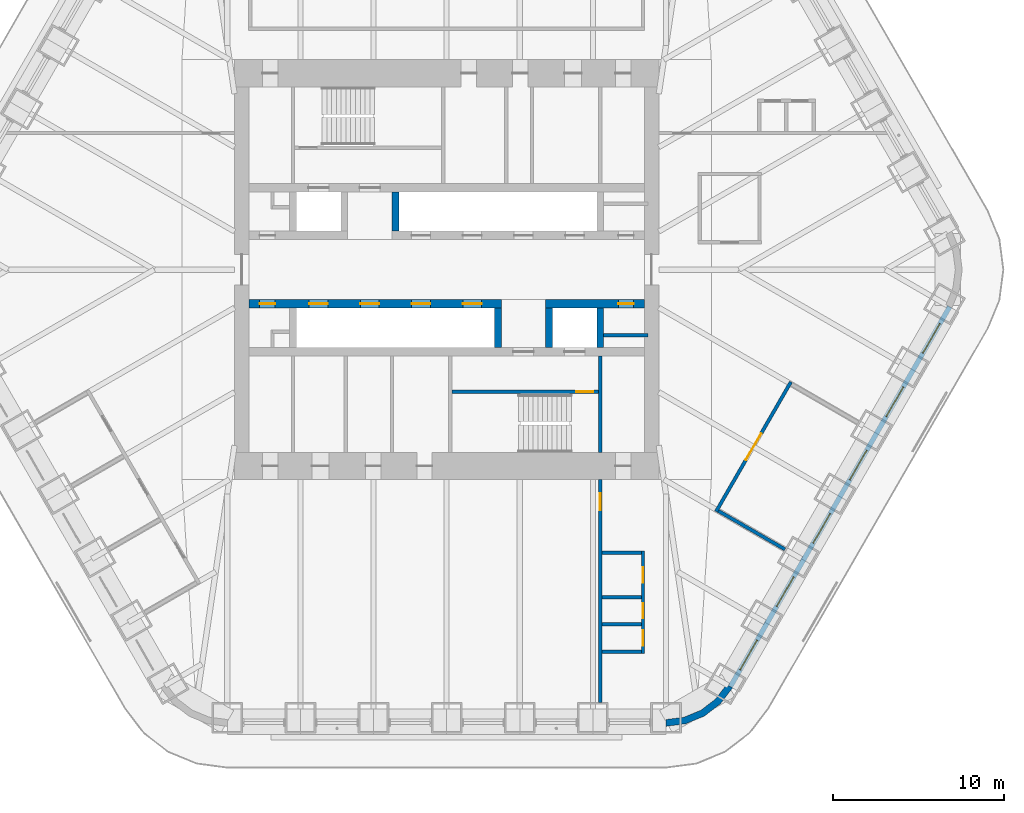
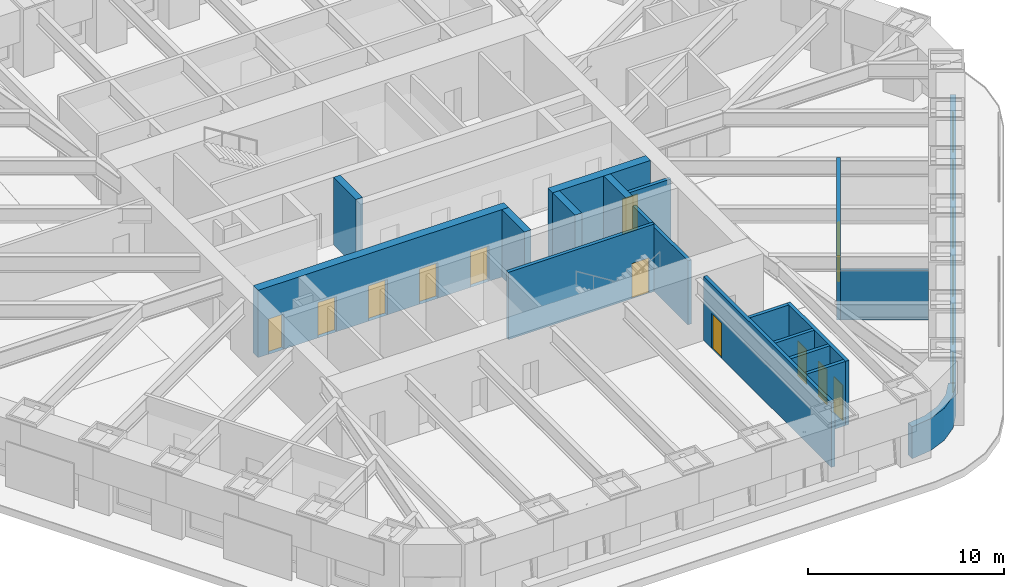
# One storey, part 14 of 18: 19 walls, 12 doors, 6 windows, 18 openings.
"""IFC4 building model written with IfcOpenShell, lengths in metres."""

from ifc_helpers import new_model, si_unit, direction, frame, frame_2d, origin, place, context, subcontext, project, spatial, polyline, rectangle, outline, extrude, material, layer, layer_set, type_object, element, fill, save


model = new_model("IFC4")

# Units and contexts
model_context = context("Model", 3, precision=1e-05, world=origin(), true_north=direction((0.0, 1.0)))
body_context = subcontext(model_context, "Body", "Model", "MODEL_VIEW")
ifc_project = project(units=[si_unit("LENGTHUNIT", "METRE"), si_unit("AREAUNIT", "SQUARE_METRE"), si_unit("VOLUMEUNIT", "CUBIC_METRE"), si_unit("PLANEANGLEUNIT", "RADIAN"), si_unit("MASSUNIT", "GRAM", prefix="KILO")], contexts=[model_context])

# Site, building, storey
site_placement = place(None, origin())
site = spatial("IfcSite", under=ifc_project, at=site_placement, CompositionType="ELEMENT")
building_placement = place(site_placement, origin())
building = spatial("IfcBuilding", under=site, at=building_placement, Name="Tarfa Lantern Tower", CompositionType="ELEMENT")
storey_placement = place(building_placement, frame((0.0, 0.0, 311.5)))
storey = spatial("IfcBuildingStorey", under=building, at=storey_placement, Name="L70", CompositionType="ELEMENT", Elevation=311.5)

# Wall, openings, windows
ifc_material_1 = material(Name="Limestone cladding on blockwork", Category="masonry")
ifc_layer_1 = layer(ifc_material_1, 0.300048828125)
ifc_layer_set_1 = layer_set([ifc_layer_1], Name="EW1 STONE-CLAD WALL 300")
wall_type_1 = type_object("IfcWallType", Name="EW1 STONE-CLAD WALL 300", PredefinedType="SOLIDWALL", material=ifc_layer_set_1)
wall_1_placement = place(storey_placement, frame((16.61328125, -24.425048828125, 0.0), z_axis=(0.0, 0.0, 1.0), x_axis=(0.499997191038, 0.866027025533, 0.0)))
wall_1 = element("IfcWall", 1, at=wall_1_placement, inside=storey, type_object=wall_type_1, Name="Stone wall SE", PredefinedType="SOLIDWALL", context=body_context, shape_type="SweptSolid", body=[
    extrude(rectangle(XDim=25.692138671875, YDim=0.300048828125, at=frame_2d((12.84619140625, 0.0))), origin(), (0.0, 0.0, 1.0), 2.0),
])
opening_1_placement = place(wall_1_placement, frame((1.14111328125, 0.0, 0.60009765625)))
opening_1 = element("IfcOpeningElement", 2, at=opening_1_placement, cuts=wall_1, Name="Opening W12", PredefinedType="OPENING", context=body_context, shape_type="SweptSolid", body=[
    extrude(rectangle(XDim=2.0, YDim=1.14990234375, at=frame_2d((1.0, 0.574951171875))), frame((0.0, 0.159912109375, 0.0), z_axis=(0.0, -1.0, 0.0), x_axis=(1.0, 0.0, 0.0)), (0.0, 0.0, 1.0), 0.320068359375),
])
opening_2_placement = place(wall_1_placement, frame((5.423095703125, 0.0, 0.60009765625)))
opening_2 = element("IfcOpeningElement", 3, at=opening_2_placement, cuts=wall_1, Name="Opening W12", PredefinedType="OPENING", context=body_context, shape_type="SweptSolid", body=[
    extrude(rectangle(XDim=2.0, YDim=1.14990234375, at=frame_2d((1.0, 0.574951171875))), frame((0.0, 0.159912109375, 0.0), z_axis=(0.0, -1.0, 0.0), x_axis=(1.0, 0.0, 0.0)), (0.0, 0.0, 1.0), 0.320068359375),
])
opening_3_placement = place(wall_1_placement, frame((9.705078125, 0.0, 0.60009765625)))
opening_3 = element("IfcOpeningElement", 4, at=opening_3_placement, cuts=wall_1, Name="Opening W12", PredefinedType="OPENING", context=body_context, shape_type="SweptSolid", body=[
    extrude(rectangle(XDim=2.0, YDim=1.14990234375, at=frame_2d((1.0, 0.574951171875))), frame((0.0, 0.159912109375, 0.0), z_axis=(0.0, -1.0, 0.0), x_axis=(1.0, 0.0, 0.0)), (0.0, 0.0, 1.0), 0.320068359375),
])
opening_4_placement = place(wall_1_placement, frame((13.987060546875, 0.0, 0.60009765625)))
opening_4 = element("IfcOpeningElement", 5, at=opening_4_placement, cuts=wall_1, Name="Opening W12", PredefinedType="OPENING", context=body_context, shape_type="SweptSolid", body=[
    extrude(rectangle(XDim=2.0, YDim=1.14990234375, at=frame_2d((1.0, 0.574951171875))), frame((0.0, 0.159912109375, 0.0), z_axis=(0.0, -1.0, 0.0), x_axis=(1.0, 0.0, 0.0)), (0.0, 0.0, 1.0), 0.320068359375),
])
opening_5_placement = place(wall_1_placement, frame((18.26904296875, 0.0, 0.60009765625)))
opening_5 = element("IfcOpeningElement", 6, at=opening_5_placement, cuts=wall_1, Name="Opening W12", PredefinedType="OPENING", context=body_context, shape_type="SweptSolid", body=[
    extrude(rectangle(XDim=2.0, YDim=1.14990234375, at=frame_2d((1.0, 0.574951171875))), frame((0.0, 0.159912109375, 0.0), z_axis=(0.0, -1.0, 0.0), x_axis=(1.0, 0.0, 0.0)), (0.0, 0.0, 1.0), 0.320068359375),
])
opening_6_placement = place(wall_1_placement, frame((22.551025390625, 0.0, 0.60009765625)))
opening_6 = element("IfcOpeningElement", 7, at=opening_6_placement, cuts=wall_1, Name="Opening W12", PredefinedType="OPENING", context=body_context, shape_type="SweptSolid", body=[
    extrude(rectangle(XDim=2.0, YDim=1.14990234375, at=frame_2d((1.0, 0.574951171875))), frame((0.0, 0.159912109375, 0.0), z_axis=(0.0, -1.0, 0.0), x_axis=(1.0, 0.0, 0.0)), (0.0, 0.0, 1.0), 0.320068359375),
])
ifc_material_2 = material(Name="Aluminium frame, double glazed", Category="aluminium")
window_type = type_object("IfcWindowType", Name="W12 FULL-HEIGHT GLAZING 2000x1150", PartitioningType="SINGLE_PANEL", PredefinedType="WINDOW", material=ifc_material_2)
window_1_placement = place(opening_1_placement, origin())
window_1 = element("IfcWindow", 8, at=window_1_placement, inside=storey, type_object=window_type, Name="Window SE 1", OverallHeight=1.14990234375, OverallWidth=2.0, PartitioningType="SINGLE_PANEL", PredefinedType="WINDOW", context=body_context, shape_type="SweptSolid", body=[
    extrude(rectangle(XDim=2.0, YDim=1.14990234375, at=frame_2d((1.0, 0.574951171875))), frame((0.0, 0.030029296875, 0.0), z_axis=(0.0, -1.0, 0.0), x_axis=(1.0, 0.0, 0.0)), (0.0, 0.0, 1.0), 0.06005859375),
])
fill(opening_1, window_1)
window_2_placement = place(opening_2_placement, origin())
window_2 = element("IfcWindow", 9, at=window_2_placement, inside=storey, type_object=window_type, Name="Window SE 2", OverallHeight=1.14990234375, OverallWidth=2.0, PartitioningType="SINGLE_PANEL", PredefinedType="WINDOW", context=body_context, shape_type="SweptSolid", body=[
    extrude(rectangle(XDim=2.0, YDim=1.14990234375, at=frame_2d((1.0, 0.574951171875))), frame((0.0, 0.030029296875, 0.0), z_axis=(0.0, -1.0, 0.0), x_axis=(1.0, 0.0, 0.0)), (0.0, 0.0, 1.0), 0.06005859375),
])
fill(opening_2, window_2)
window_3_placement = place(opening_3_placement, origin())
window_3 = element("IfcWindow", 10, at=window_3_placement, inside=storey, type_object=window_type, Name="Window SE 3", OverallHeight=1.14990234375, OverallWidth=2.0, PartitioningType="SINGLE_PANEL", PredefinedType="WINDOW", context=body_context, shape_type="SweptSolid", body=[
    extrude(rectangle(XDim=2.0, YDim=1.14990234375, at=frame_2d((1.0, 0.574951171875))), frame((0.0, 0.030029296875, 0.0), z_axis=(0.0, -1.0, 0.0), x_axis=(1.0, 0.0, 0.0)), (0.0, 0.0, 1.0), 0.06005859375),
])
fill(opening_3, window_3)
window_4_placement = place(opening_4_placement, origin())
window_4 = element("IfcWindow", 11, at=window_4_placement, inside=storey, type_object=window_type, Name="Window SE 4", OverallHeight=1.14990234375, OverallWidth=2.0, PartitioningType="SINGLE_PANEL", PredefinedType="WINDOW", context=body_context, shape_type="SweptSolid", body=[
    extrude(rectangle(XDim=2.0, YDim=1.14990234375, at=frame_2d((1.0, 0.574951171875))), frame((0.0, 0.030029296875, 0.0), z_axis=(0.0, -1.0, 0.0), x_axis=(1.0, 0.0, 0.0)), (0.0, 0.0, 1.0), 0.06005859375),
])
fill(opening_4, window_4)
window_5_placement = place(opening_5_placement, origin())
window_5 = element("IfcWindow", 12, at=window_5_placement, inside=storey, type_object=window_type, Name="Window SE 5", OverallHeight=1.14990234375, OverallWidth=2.0, PartitioningType="SINGLE_PANEL", PredefinedType="WINDOW", context=body_context, shape_type="SweptSolid", body=[
    extrude(rectangle(XDim=2.0, YDim=1.14990234375, at=frame_2d((1.0, 0.574951171875))), frame((0.0, 0.030029296875, 0.0), z_axis=(0.0, -1.0, 0.0), x_axis=(1.0, 0.0, 0.0)), (0.0, 0.0, 1.0), 0.06005859375),
])
fill(opening_5, window_5)
window_6_placement = place(opening_6_placement, origin())
window_6 = element("IfcWindow", 13, at=window_6_placement, inside=storey, type_object=window_type, Name="Window SE 6", OverallHeight=1.14990234375, OverallWidth=2.0, PartitioningType="SINGLE_PANEL", PredefinedType="WINDOW", context=body_context, shape_type="SweptSolid", body=[
    extrude(rectangle(XDim=2.0, YDim=1.14990234375, at=frame_2d((1.0, 0.574951171875))), frame((0.0, 0.030029296875, 0.0), z_axis=(0.0, -1.0, 0.0), x_axis=(1.0, 0.0, 0.0)), (0.0, 0.0, 1.0), 0.06005859375),
])
fill(opening_6, window_6)

# Walls
ifc_layer_2 = layer(ifc_material_1, 0.39990234375)
ifc_layer_set_2 = layer_set([ifc_layer_2], Name="EW2 CURVED STONE CORNER 400")
wall_type_2 = type_object("IfcWallType", Name="EW2 CURVED STONE CORNER 400", PredefinedType="SOLIDWALL", material=ifc_layer_set_2)
wall_2_placement = place(storey_placement, origin())
element("IfcWall", 14, at=wall_2_placement, inside=storey, type_object=wall_type_2, Name="Stone corner S-SE", PredefinedType="SOLIDWALL", context=body_context, shape_type="SweptSolid", body=[
    extrude(outline(polyline([(12.845947265625, -26.75), (14.0107421875, -26.5966796875), (15.095947265625, -26.147216796875), (16.028076171875, -25.431884765625), (16.7431640625, -24.5), (16.396728515625, -24.300048828125), (15.7451171875, -25.149169921875), (14.89599609375, -25.80078125), (13.9072265625, -26.210205078125), (12.845947265625, -26.35009765625), (12.845947265625, -26.75)])), origin(), (0.0, 0.0, 1.0), 2.0),
])
ifc_material_3 = material(Name="Concrete blockwork", Category="masonry")
ifc_layer_3 = layer(ifc_material_3, 0.199951171875)
ifc_layer_set_3 = layer_set([ifc_layer_3], Name="IW1 BLOCKWORK PARTITION 200 EI 120")
wall_type_3 = type_object("IfcWallType", Name="IW1 BLOCKWORK PARTITION 200 EI 120", PredefinedType="PARTITIONING", material=ifc_layer_set_3)
wall_3_placement = place(storey_placement, frame((9.0, -5.050048828125, 0.0), z_axis=(0.0, 0.0, 1.0), x_axis=(0.0, -1.0, 0.0)))
element("IfcWall", 15, at=wall_3_placement, inside=storey, type_object=wall_type_3, Name="Core partition", PredefinedType="PARTITIONING", context=body_context, shape_type="SweptSolid", body=[
    extrude(rectangle(XDim=5.64990234375, YDim=0.199951171875, at=frame_2d((2.824951171875, 0.0))), origin(), (0.0, 0.0, 1.0), 4.0),
])
wall_4_placement = place(storey_placement, frame((11.800048828125, -3.85009765625, 0.0), z_axis=(0.0, 0.0, 1.0), x_axis=(-1.0, 0.0, 0.0)))
element("IfcWall", 16, at=wall_4_placement, inside=storey, type_object=wall_type_3, Name="Core partition", PredefinedType="PARTITIONING", context=body_context, shape_type="SweptSolid", body=[
    extrude(rectangle(XDim=2.60009765625, YDim=0.199951171875, at=frame_2d((1.300048828125, 0.0))), origin(), (0.0, 0.0, 1.0), 4.0),
])

# Wall, opening, door
ifc_material_4 = material(Name="Gypsum board on steel studs", Category="steel")
ifc_layer_4 = layer(ifc_material_4, 0.2099609375)
ifc_layer_set_4 = layer_set([ifc_layer_4], Name="IW2 ACOUSTIC PARTITION 200")
wall_type_4 = type_object("IfcWallType", Name="IW2 ACOUSTIC PARTITION 200", PredefinedType="PARTITIONING", material=ifc_layer_set_4)
wall_5_placement = place(storey_placement, frame((15.779052734375, -14.169921875, 0.0), z_axis=(0.0, 0.0, 1.0), x_axis=(0.500006995557, 0.86602136486, 0.0)))
wall_5 = element("IfcWall", 17, at=wall_5_placement, inside=storey, type_object=wall_type_4, Name="Partition", PredefinedType="PARTITIONING", context=body_context, shape_type="SweptSolid", body=[
    extrude(rectangle(XDim=8.763916015625, YDim=0.199951171875, at=frame_2d((4.3818359375, 0.0))), origin(), (0.0, 0.0, 1.0), 4.0),
])
opening_7_placement = place(wall_5_placement, frame((3.48193359375, 0.0, 0.0)))
opening_7 = element("IfcOpeningElement", 18, at=opening_7_placement, cuts=wall_5, Name="Opening D22", PredefinedType="OPENING", context=body_context, shape_type="SweptSolid", body=[
    extrude(rectangle(XDim=1.800048828125, YDim=2.39990234375, at=frame_2d((0.89990234375, 1.199951171875))), frame((0.0, 0.10986328125, 0.0), z_axis=(0.0, -1.0, 0.0), x_axis=(1.0, 0.0, 0.0)), (0.0, 0.0, 1.0), 0.219970703125),
])
ifc_material_5 = material(Name="Timber door", Category="wood")
door_type_1 = type_object("IfcDoorType", Name="DR2 ROOM DOOR 1800x2400", OperationType="DOUBLE_DOOR_SINGLE_SWING", PredefinedType="DOOR", material=ifc_material_5)
door_1_placement = place(opening_7_placement, frame((1.800048828125, 0.0, 0.0), z_axis=(0.0, 0.0, 1.0), x_axis=(-1.0, 0.0, 0.0)))
door_1 = element("IfcDoor", 19, at=door_1_placement, inside=storey, type_object=door_type_1, Name="Majlis door", OperationType="DOUBLE_DOOR_SINGLE_SWING", OverallHeight=2.39990234375, OverallWidth=1.800048828125, PredefinedType="DOOR", context=body_context, shape_type="SweptSolid", body=[
    extrude(rectangle(XDim=1.800048828125, YDim=2.39990234375, at=frame_2d((0.89990234375, 1.199951171875))), frame((0.0, 0.02490234375, 0.0), z_axis=(0.0, -1.0, 0.0), x_axis=(1.0, 0.0, 0.0)), (0.0, 0.0, 1.0), 0.050048828125),
])
fill(opening_7, door_1)

# Wall
wall_6_placement = place(storey_placement, frame((15.91552734375, -14.13330078125, 0.0), z_axis=(0.0, 0.0, 1.0), x_axis=(0.866031096941, -0.499990139034, 0.0)))
element("IfcWall", 20, at=wall_6_placement, inside=storey, type_object=wall_type_4, Name="Partition", PredefinedType="PARTITIONING", context=body_context, shape_type="SweptSolid", body=[
    extrude(rectangle(XDim=4.5, YDim=0.199951171875, at=frame_2d((2.25, 0.0))), origin(), (0.0, 0.0, 1.0), 3.08154296875),
])

# Wall, opening, door
wall_7_placement = place(storey_placement, frame((9.0, -12.300048828125, 0.0), z_axis=(0.0, 0.0, 1.0), x_axis=(0.0, -1.0, 0.0)))
wall_7 = element("IfcWall", 21, at=wall_7_placement, inside=storey, type_object=wall_type_4, Name="Partition", PredefinedType="PARTITIONING", context=body_context, shape_type="SweptSolid", body=[
    extrude(rectangle(XDim=13.050048828125, YDim=0.199951171875, at=frame_2d((6.52490234375, 0.0))), origin(), (0.0, 0.0, 1.0), 4.0),
])
opening_8_placement = place(wall_7_placement, frame((0.804931640625, 0.0, 0.0)))
opening_8 = element("IfcOpeningElement", 22, at=opening_8_placement, cuts=wall_7, Name="Opening D33", PredefinedType="OPENING", context=body_context, shape_type="SweptSolid", body=[
    extrude(rectangle(XDim=1.0, YDim=2.199951171875, at=frame_2d((0.5, 1.10009765625))), frame((0.0, 0.10986328125, 0.0), z_axis=(0.0, -1.0, 0.0), x_axis=(1.0, 0.0, 0.0)), (0.0, 0.0, 1.0), 0.219970703125),
])
door_type_2 = type_object("IfcDoorType", Name="DR1 ROOM DOOR 1000x2200", OperationType="SINGLE_SWING_LEFT", PredefinedType="DOOR", material=ifc_material_5)
door_2_placement = place(opening_8_placement, origin())
door_2 = element("IfcDoor", 23, at=door_2_placement, inside=storey, type_object=door_type_2, Name="Zone door", OperationType="SINGLE_SWING_RIGHT", OverallHeight=2.199951171875, OverallWidth=1.0, PredefinedType="DOOR", context=body_context, shape_type="SweptSolid", body=[
    extrude(rectangle(XDim=1.0, YDim=2.199951171875, at=frame_2d((0.5, 1.10009765625))), frame((0.0, 0.02490234375, 0.0), z_axis=(0.0, -1.0, 0.0), x_axis=(1.0, 0.0, 0.0)), (0.0, 0.0, 1.0), 0.050048828125),
])
fill(opening_8, door_2)

# Wall, openings, doors
wall_8_placement = place(storey_placement, frame((11.5, -16.4775390625, 0.0), z_axis=(0.0, 0.0, 1.0), x_axis=(0.0, -1.0, 0.0)))
wall_8 = element("IfcWall", 24, at=wall_8_placement, inside=storey, type_object=wall_type_4, Name="Partition", PredefinedType="PARTITIONING", context=body_context, shape_type="SweptSolid", body=[
    extrude(rectangle(XDim=6.0, YDim=0.199951171875, at=frame_2d((3.0, 0.0))), origin(), (0.0, 0.0, 1.0), 4.0),
])
opening_9_placement = place(wall_8_placement, frame((0.949951171875, 0.0, 0.0)))
opening_9 = element("IfcOpeningElement", 25, at=opening_9_placement, cuts=wall_8, Name="Opening D27", PredefinedType="OPENING", context=body_context, shape_type="SweptSolid", body=[
    extrude(rectangle(XDim=0.89990234375, YDim=2.199951171875, at=frame_2d((0.449951171875, 1.10009765625))), frame((0.0, 0.10986328125, 0.0), z_axis=(0.0, -1.0, 0.0), x_axis=(1.0, 0.0, 0.0)), (0.0, 0.0, 1.0), 0.219970703125),
])
opening_10_placement = place(wall_8_placement, frame((3.050048828125, 0.0, 0.0)))
opening_10 = element("IfcOpeningElement", 26, at=opening_10_placement, cuts=wall_8, Name="Opening D28", PredefinedType="OPENING", context=body_context, shape_type="SweptSolid", body=[
    extrude(rectangle(XDim=0.89990234375, YDim=2.199951171875, at=frame_2d((0.449951171875, 1.10009765625))), frame((0.0, 0.10986328125, 0.0), z_axis=(0.0, -1.0, 0.0), x_axis=(1.0, 0.0, 0.0)), (0.0, 0.0, 1.0), 0.219970703125),
])
opening_11_placement = place(wall_8_placement, frame((4.64990234375, 0.0, 0.0)))
opening_11 = element("IfcOpeningElement", 27, at=opening_11_placement, cuts=wall_8, Name="Opening D29", PredefinedType="OPENING", context=body_context, shape_type="SweptSolid", body=[
    extrude(rectangle(XDim=0.89990234375, YDim=2.199951171875, at=frame_2d((0.449951171875, 1.10009765625))), frame((0.0, 0.10986328125, 0.0), z_axis=(0.0, -1.0, 0.0), x_axis=(1.0, 0.0, 0.0)), (0.0, 0.0, 1.0), 0.219970703125),
])
door_type_3 = type_object("IfcDoorType", Name="DR3 ROOM DOOR 900x2200", OperationType="SINGLE_SWING_LEFT", PredefinedType="DOOR", material=ifc_material_5)
door_3_placement = place(opening_9_placement, frame((0.89990234375, 0.0, 0.0), z_axis=(0.0, 0.0, 1.0), x_axis=(-1.0, 0.0, 0.0)))
door_3 = element("IfcDoor", 28, at=door_3_placement, inside=storey, type_object=door_type_3, Name="Print and copy room door", OperationType="SINGLE_SWING_LEFT", OverallHeight=2.199951171875, OverallWidth=0.89990234375, PredefinedType="DOOR", context=body_context, shape_type="SweptSolid", body=[
    extrude(rectangle(XDim=0.89990234375, YDim=2.199951171875, at=frame_2d((0.449951171875, 1.10009765625))), frame((0.0, 0.02490234375, 0.0), z_axis=(0.0, -1.0, 0.0), x_axis=(1.0, 0.0, 0.0)), (0.0, 0.0, 1.0), 0.050048828125),
])
fill(opening_9, door_3)
door_4_placement = place(opening_10_placement, frame((0.89990234375, 0.0, 0.0), z_axis=(0.0, 0.0, 1.0), x_axis=(-1.0, 0.0, 0.0)))
door_4 = element("IfcDoor", 29, at=door_4_placement, inside=storey, type_object=door_type_3, Name="Phone booth door", OperationType="SINGLE_SWING_RIGHT", OverallHeight=2.199951171875, OverallWidth=0.89990234375, PredefinedType="DOOR", context=body_context, shape_type="SweptSolid", body=[
    extrude(rectangle(XDim=0.89990234375, YDim=2.199951171875, at=frame_2d((0.449951171875, 1.10009765625))), frame((0.0, 0.02490234375, 0.0), z_axis=(0.0, -1.0, 0.0), x_axis=(1.0, 0.0, 0.0)), (0.0, 0.0, 1.0), 0.050048828125),
])
fill(opening_10, door_4)
door_5_placement = place(opening_11_placement, frame((0.89990234375, 0.0, 0.0), z_axis=(0.0, 0.0, 1.0), x_axis=(-1.0, 0.0, 0.0)))
door_5 = element("IfcDoor", 30, at=door_5_placement, inside=storey, type_object=door_type_3, Name="Phone booth door", OperationType="SINGLE_SWING_RIGHT", OverallHeight=2.199951171875, OverallWidth=0.89990234375, PredefinedType="DOOR", context=body_context, shape_type="SweptSolid", body=[
    extrude(rectangle(XDim=0.89990234375, YDim=2.199951171875, at=frame_2d((0.449951171875, 1.10009765625))), frame((0.0, 0.02490234375, 0.0), z_axis=(0.0, -1.0, 0.0), x_axis=(1.0, 0.0, 0.0)), (0.0, 0.0, 1.0), 0.050048828125),
])
fill(opening_11, door_5)

# Walls
for number, where, z_axis, x_axis, name in (
    (31, (9.10009765625, -16.577392578125, 0.0), (0.0, 0.0, 1.0), (1.0, 0.0, 0.0), "Partition"),
    (32, (9.10009765625, -19.177490234375, 0.0), (0.0, 0.0, 1.0), (1.0, 0.0, 0.0), "Partition"),
    (33, (9.10009765625, -20.777587890625, 0.0), (0.0, 0.0, 1.0), (1.0, 0.0, 0.0), "Partition"),
    (34, (9.10009765625, -22.37744140625, 0.0), (0.0, 0.0, 1.0), (1.0, 0.0, 0.0), "Partition"),
):
    element("IfcWall", number, at=place(storey_placement, frame(where, z_axis=z_axis, x_axis=x_axis)), inside=storey, type_object=wall_type_4, Name=name, PredefinedType="PARTITIONING", context=body_context, shape_type="SweptSolid", body=[
        extrude(rectangle(XDim=2.2998046875, YDim=0.199951171875, at=frame_2d((1.14990234375, 0.0))), origin(), (0.0, 0.0, 1.0), 4.0),
    ])

# Wall, opening, door
ifc_material_6 = material(Name="Concrete C80/95", Category="concrete")
ifc_layer_5 = layer(ifc_material_6, 0.199951171875)
ifc_layer_set_5 = layer_set([ifc_layer_5], Name="SW12 CORE WALL 200")
wall_type_5 = type_object("IfcWallType", Name="SW12 CORE WALL 200", PredefinedType="SHEAR", material=ifc_layer_set_5)
wall_9_placement = place(storey_placement, frame((8.89990234375, -7.14990234375, 0.0), z_axis=(0.0, 0.0, 1.0), x_axis=(-1.0, 0.0, 0.0)))
wall_9 = element("IfcWall", 35, at=wall_9_placement, inside=storey, type_object=wall_type_5, Name="Core wall stair partition S", PredefinedType="SHEAR", context=body_context, shape_type="SweptSolid", body=[
    extrude(rectangle(XDim=8.599853515625, YDim=0.199951171875, at=frame_2d((4.2998046875, 0.0))), origin(), (0.0, 0.0, 1.0), 4.199951171875),
])
opening_12_placement = place(wall_9_placement, frame((0.300048828125, 0.0, 0.0)))
opening_12 = element("IfcOpeningElement", 36, at=opening_12_placement, cuts=wall_9, Name="Opening D20", PredefinedType="OPENING", context=body_context, shape_type="SweptSolid", body=[
    extrude(rectangle(XDim=1.0, YDim=2.199951171875, at=frame_2d((0.5, 1.10009765625))), frame((0.0, 0.10986328125, 0.0), z_axis=(0.0, -1.0, 0.0), x_axis=(1.0, 0.0, 0.0)), (0.0, 0.0, 1.0), 0.219970703125),
])
ifc_material_7 = material(Name="Steel fire door", Category="steel")
door_type_4 = type_object("IfcDoorType", Name="DF2 STAIR DOOR 1000x2200", OperationType="SINGLE_SWING_LEFT", PredefinedType="DOOR", material=ifc_material_7)
door_6_placement = place(opening_12_placement, origin())
door_6 = element("IfcDoor", 37, at=door_6_placement, inside=storey, type_object=door_type_4, Name="Stair door", OperationType="SINGLE_SWING_RIGHT", OverallHeight=2.199951171875, OverallWidth=1.0, PredefinedType="DOOR", context=body_context, shape_type="SweptSolid", body=[
    extrude(rectangle(XDim=1.0, YDim=2.199951171875, at=frame_2d((0.5, 1.10009765625))), frame((0.0, 0.02490234375, 0.0), z_axis=(0.0, -1.0, 0.0), x_axis=(1.0, 0.0, 0.0)), (0.0, 0.0, 1.0), 0.050048828125),
])
fill(opening_12, door_6)

ifc_layer_6 = layer(ifc_material_6, 0.5)
ifc_layer_set_6 = layer_set([ifc_layer_6], Name="SW5 CORE WALL 500")
wall_type_6 = type_object("IfcWallType", Name="SW5 CORE WALL 500", PredefinedType="SHEAR", material=ifc_layer_set_6)
wall_10_placement = place(storey_placement, frame((11.574951171875, -2.0, 0.0), z_axis=(0.0, 0.0, 1.0), x_axis=(-1.0, 0.0, 0.0)))
wall_10 = element("IfcWall", 38, at=wall_10_placement, inside=storey, type_object=wall_type_6, Name="Core wall lobby west S", PredefinedType="SHEAR", context=body_context, shape_type="SweptSolid", body=[
    extrude(rectangle(XDim=5.77490234375, YDim=0.5, at=frame_2d((2.887451171875, 0.0))), origin(), (0.0, 0.0, 1.0), 4.199951171875),
])
opening_13_placement = place(wall_10_placement, frame((0.625, 0.0, 0.0)))
opening_13 = element("IfcOpeningElement", 39, at=opening_13_placement, cuts=wall_10, Name="Opening D12", PredefinedType="OPENING", context=body_context, shape_type="SweptSolid", body=[
    extrude(rectangle(XDim=0.89990234375, YDim=2.199951171875, at=frame_2d((0.449951171875, 1.10009765625))), frame((0.0, 0.260009765625, 0.0), z_axis=(0.0, -1.0, 0.0), x_axis=(1.0, 0.0, 0.0)), (0.0, 0.0, 1.0), 0.52001953125),
])
door_type_5 = type_object("IfcDoorType", Name="DF6 SERVICE ROOM DOOR 900x2200", OperationType="SINGLE_SWING_LEFT", PredefinedType="DOOR", material=ifc_material_7)
door_7_placement = place(opening_13_placement, origin())
door_7 = element("IfcDoor", 40, at=door_7_placement, inside=storey, type_object=door_type_5, Name="Service room door", OperationType="SINGLE_SWING_RIGHT", OverallHeight=2.199951171875, OverallWidth=0.89990234375, PredefinedType="DOOR", context=body_context, shape_type="SweptSolid", body=[
    extrude(rectangle(XDim=0.89990234375, YDim=2.199951171875, at=frame_2d((0.449951171875, 1.10009765625))), frame((0.0, 0.02490234375, 0.0), z_axis=(0.0, -1.0, 0.0), x_axis=(1.0, 0.0, 0.0)), (0.0, 0.0, 1.0), 0.050048828125),
])
fill(opening_13, door_7)

# Wall, openings, doors
wall_11_placement = place(storey_placement, frame((3.199951171875, -2.0, 0.0), z_axis=(0.0, 0.0, 1.0), x_axis=(-1.0, 0.0, 0.0)))
wall_11 = element("IfcWall", 41, at=wall_11_placement, inside=storey, type_object=wall_type_6, Name="Core wall lobby east S", PredefinedType="SHEAR", context=body_context, shape_type="SweptSolid", body=[
    extrude(rectangle(XDim=14.77490234375, YDim=0.5, at=frame_2d((7.387451171875, 0.0))), origin(), (0.0, 0.0, 1.0), 4.199951171875),
])
opening_14_placement = place(wall_11_placement, frame((13.25, 0.0, 0.0)))
opening_14 = element("IfcOpeningElement", 42, at=opening_14_placement, cuts=wall_11, Name="Opening D10", PredefinedType="OPENING", context=body_context, shape_type="SweptSolid", body=[
    extrude(rectangle(XDim=0.89990234375, YDim=2.199951171875, at=frame_2d((0.449951171875, 1.10009765625))), frame((0.0, 0.260009765625, 0.0), z_axis=(0.0, -1.0, 0.0), x_axis=(1.0, 0.0, 0.0)), (0.0, 0.0, 1.0), 0.52001953125),
])
opening_15_placement = place(wall_11_placement, frame((1.14990234375, 0.0, 0.0)))
opening_15 = element("IfcOpeningElement", 43, at=opening_15_placement, cuts=wall_11, Name="Opening LD07", PredefinedType="OPENING", context=body_context, shape_type="SweptSolid", body=[
    extrude(rectangle(XDim=1.10009765625, YDim=2.199951171875, at=frame_2d((0.550048828125, 1.10009765625))), frame((0.0, 0.260009765625, 0.0), z_axis=(0.0, -1.0, 0.0), x_axis=(1.0, 0.0, 0.0)), (0.0, 0.0, 1.0), 0.52001953125),
])
opening_16_placement = place(wall_11_placement, frame((4.14990234375, 0.0, 0.0)))
opening_16 = element("IfcOpeningElement", 44, at=opening_16_placement, cuts=wall_11, Name="Opening LD08", PredefinedType="OPENING", context=body_context, shape_type="SweptSolid", body=[
    extrude(rectangle(XDim=1.10009765625, YDim=2.199951171875, at=frame_2d((0.550048828125, 1.10009765625))), frame((0.0, 0.260009765625, 0.0), z_axis=(0.0, -1.0, 0.0), x_axis=(1.0, 0.0, 0.0)), (0.0, 0.0, 1.0), 0.52001953125),
])
opening_17_placement = place(wall_11_placement, frame((7.14990234375, 0.0, 0.0)))
opening_17 = element("IfcOpeningElement", 45, at=opening_17_placement, cuts=wall_11, Name="Opening LD09", PredefinedType="OPENING", context=body_context, shape_type="SweptSolid", body=[
    extrude(rectangle(XDim=1.10009765625, YDim=2.199951171875, at=frame_2d((0.550048828125, 1.10009765625))), frame((0.0, 0.260009765625, 0.0), z_axis=(0.0, -1.0, 0.0), x_axis=(1.0, 0.0, 0.0)), (0.0, 0.0, 1.0), 0.52001953125),
])
opening_18_placement = place(wall_11_placement, frame((10.14990234375, 0.0, 0.0)))
opening_18 = element("IfcOpeningElement", 46, at=opening_18_placement, cuts=wall_11, Name="Opening LD10", PredefinedType="OPENING", context=body_context, shape_type="SweptSolid", body=[
    extrude(rectangle(XDim=1.10009765625, YDim=2.199951171875, at=frame_2d((0.550048828125, 1.10009765625))), frame((0.0, 0.260009765625, 0.0), z_axis=(0.0, -1.0, 0.0), x_axis=(1.0, 0.0, 0.0)), (0.0, 0.0, 1.0), 0.52001953125),
])
door_8_placement = place(opening_14_placement, origin())
door_8 = element("IfcDoor", 47, at=door_8_placement, inside=storey, type_object=door_type_5, Name="Service room door", OperationType="SINGLE_SWING_LEFT", OverallHeight=2.199951171875, OverallWidth=0.89990234375, PredefinedType="DOOR", context=body_context, shape_type="SweptSolid", body=[
    extrude(rectangle(XDim=0.89990234375, YDim=2.199951171875, at=frame_2d((0.449951171875, 1.10009765625))), frame((0.0, 0.02490234375, 0.0), z_axis=(0.0, -1.0, 0.0), x_axis=(1.0, 0.0, 0.0)), (0.0, 0.0, 1.0), 0.050048828125),
])
fill(opening_14, door_8)
ifc_material_8 = material(Name="Stainless steel lift door", Category="steel")
door_type_6 = type_object("IfcDoorType", Name="LD2 LIFT LANDING DOOR 1100x2200", OperationType="SLIDING_TO_LEFT", PredefinedType="DOOR", material=ifc_material_8)
door_9_placement = place(opening_15_placement, frame((1.10009765625, 0.0, 0.0), z_axis=(0.0, 0.0, 1.0), x_axis=(-1.0, 0.0, 0.0)))
door_9 = element("IfcDoor", 48, at=door_9_placement, inside=storey, type_object=door_type_6, Name="Landing door PD5", OperationType="SLIDING_TO_LEFT", OverallHeight=2.199951171875, OverallWidth=1.10009765625, PredefinedType="DOOR", context=body_context, shape_type="SweptSolid", body=[
    extrude(rectangle(XDim=1.10009765625, YDim=2.199951171875, at=frame_2d((0.550048828125, 1.10009765625))), frame((0.0, 0.02490234375, 0.0), z_axis=(0.0, -1.0, 0.0), x_axis=(1.0, 0.0, 0.0)), (0.0, 0.0, 1.0), 0.050048828125),
])
fill(opening_15, door_9)
door_10_placement = place(opening_16_placement, frame((1.10009765625, 0.0, 0.0), z_axis=(0.0, 0.0, 1.0), x_axis=(-1.0, 0.0, 0.0)))
door_10 = element("IfcDoor", 49, at=door_10_placement, inside=storey, type_object=door_type_6, Name="Landing door PD6", OperationType="SLIDING_TO_LEFT", OverallHeight=2.199951171875, OverallWidth=1.10009765625, PredefinedType="DOOR", context=body_context, shape_type="SweptSolid", body=[
    extrude(rectangle(XDim=1.10009765625, YDim=2.199951171875, at=frame_2d((0.550048828125, 1.10009765625))), frame((0.0, 0.02490234375, 0.0), z_axis=(0.0, -1.0, 0.0), x_axis=(1.0, 0.0, 0.0)), (0.0, 0.0, 1.0), 0.050048828125),
])
fill(opening_16, door_10)
door_11_placement = place(opening_17_placement, frame((1.10009765625, 0.0, 0.0), z_axis=(0.0, 0.0, 1.0), x_axis=(-1.0, 0.0, 0.0)))
door_11 = element("IfcDoor", 50, at=door_11_placement, inside=storey, type_object=door_type_6, Name="Landing door PD7", OperationType="SLIDING_TO_LEFT", OverallHeight=2.199951171875, OverallWidth=1.10009765625, PredefinedType="DOOR", context=body_context, shape_type="SweptSolid", body=[
    extrude(rectangle(XDim=1.10009765625, YDim=2.199951171875, at=frame_2d((0.550048828125, 1.10009765625))), frame((0.0, 0.02490234375, 0.0), z_axis=(0.0, -1.0, 0.0), x_axis=(1.0, 0.0, 0.0)), (0.0, 0.0, 1.0), 0.050048828125),
])
fill(opening_17, door_11)
door_12_placement = place(opening_18_placement, frame((1.10009765625, 0.0, 0.0), z_axis=(0.0, 0.0, 1.0), x_axis=(-1.0, 0.0, 0.0)))
door_12 = element("IfcDoor", 51, at=door_12_placement, inside=storey, type_object=door_type_6, Name="Landing door PD8", OperationType="SLIDING_TO_LEFT", OverallHeight=2.199951171875, OverallWidth=1.10009765625, PredefinedType="DOOR", context=body_context, shape_type="SweptSolid", body=[
    extrude(rectangle(XDim=1.10009765625, YDim=2.199951171875, at=frame_2d((0.550048828125, 1.10009765625))), frame((0.0, 0.02490234375, 0.0), z_axis=(0.0, -1.0, 0.0), x_axis=(1.0, 0.0, 0.0)), (0.0, 0.0, 1.0), 0.050048828125),
])
fill(opening_18, door_12)

# Walls
ifc_layer_7 = layer(ifc_material_6, 0.39990234375)
ifc_layer_set_7 = layer_set([ifc_layer_7], Name="SW6 CORE WALL 400")
wall_type_7 = type_object("IfcWallType", Name="SW6 CORE WALL 400", PredefinedType="SHEAR", material=ifc_layer_set_7)
for number, where, z_axis, x_axis, name in (
    (52, (-3.0, 2.25, 0.0), (0.0, 0.0, 1.0), (0.0, 1.0, 0.0), "Core wall divider N"),
    (53, (9.0, -2.25, 0.0), (0.0, 0.0, 1.0), (0.0, -1.0, 0.0), "Core wall divider S"),
    (54, (6.0, -2.25, 0.0), (0.0, 0.0, 1.0), (0.0, -1.0, 0.0), "Core wall divider S"),
    (55, (3.0, -2.25, 0.0), (0.0, 0.0, 1.0), (0.0, -1.0, 0.0), "Core wall divider S"),
):
    element("IfcWall", number, at=place(storey_placement, frame(where, z_axis=z_axis, x_axis=x_axis)), inside=storey, type_object=wall_type_7, Name=name, PredefinedType="SHEAR", context=body_context, shape_type="SweptSolid", body=[
        extrude(rectangle(XDim=2.300048828125, YDim=0.39990234375, at=frame_2d((1.14990234375, 0.0))), origin(), (0.0, 0.0, 1.0), 4.199951171875),
    ])

save(model, "model.ifc")
